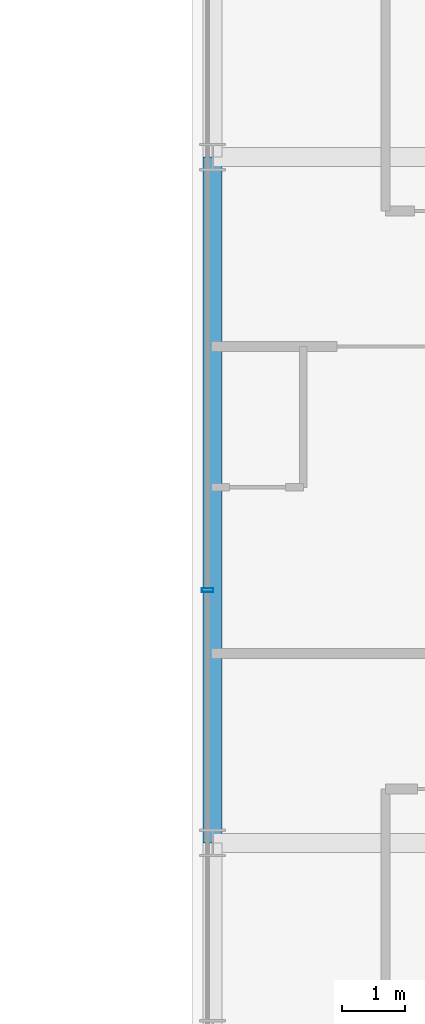
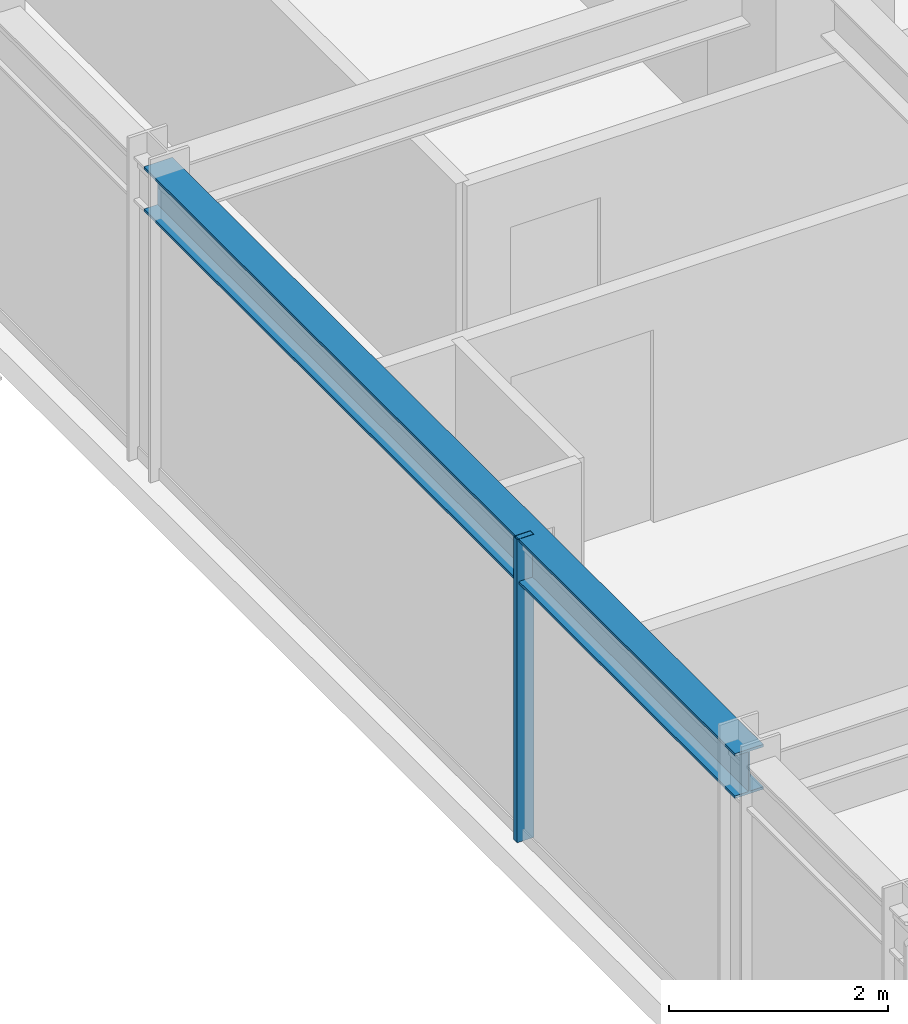
# One storey, part 8 of 40: 1 beam, 1 member, 1 element without a shape of its own.
"""IFC4 building model written with IfcOpenShell, lengths in metres."""

from ifc_helpers import new_model, si_unit, direction, frame, origin, origin_2d, place, context, subcontext, project, spatial, hollow_rectangle, i_section, extrude, source, transform, mapped, material, material_profile, profile_set, type_object, element, aggregate, save


model = new_model("IFC4")

# Units and contexts
model_context = context("Model", 3, precision=1e-05, world=origin(), true_north=direction((0.0, 1.0)))
body_context = subcontext(model_context, "Body", "Model", "MODEL_VIEW")
ifc_project = project(units=[si_unit("LENGTHUNIT", "METRE"), si_unit("AREAUNIT", "SQUARE_METRE"), si_unit("VOLUMEUNIT", "CUBIC_METRE"), si_unit("PLANEANGLEUNIT", "RADIAN"), si_unit("MASSUNIT", "GRAM", prefix="KILO")], contexts=[model_context])

# Site, building, storey
site_placement = place(None, origin())
site = spatial("IfcSite", under=ifc_project, at=site_placement, CompositionType="ELEMENT")
building_placement = place(site_placement, origin())
building = spatial("IfcBuilding", under=site, at=building_placement, Name="Nahalor Promenade Grand Hotel", CompositionType="ELEMENT")
storey_placement = place(building_placement, frame((0.0, 0.0, 91.949951171875)))
storey = spatial("IfcBuildingStorey", under=building, at=storey_placement, Name="L22", CompositionType="ELEMENT", Elevation=91.949951171875)

# Beam
ifc_material_1 = material(Name="Steel S355JR", Category="steel")
ifc_material_profile_1 = material_profile(ifc_material_1, i_section(OverallWidth=0.3, OverallDepth=0.5, WebThickness=0.0145, FlangeThickness=0.028, at=origin_2d()), Name="HEB 500")
ifc_profile_set_1 = profile_set([ifc_material_profile_1], Name="Steel S355JR")
beam_type = type_object("IfcBeamType", Name="Beam-Spandrel-HEB500", PredefinedType="SPANDREL", material=ifc_profile_set_1)
shared_shape_1 = source(origin(), body_context, "Body", "SweptSolid", [
    extrude(i_section(OverallWidth=0.3, OverallDepth=0.5, WebThickness=0.0145, FlangeThickness=0.028, at=origin_2d()), origin(), (0.0, 0.0, 1.0), 10.7998046875),
])
beam_placement = place(storey_placement, frame((-23.780029296875, -5.39990234375, 3.130126953125), z_axis=(0.0, 1.0, 0.0), x_axis=(-1.0, 0.0, 0.0)))
element("IfcBeam", 1, at=beam_placement, inside=storey, type_object=beam_type, Name="BM-L22-SP-W-2", PredefinedType="SPANDREL", context=body_context, shape_type="MappedRepresentation", body=[
    mapped(shared_shape_1, transform((0.0, 0.0, 0.0), scale=1.0)),
])

# Curtain wall, member
ifc_material_2 = material(Name="Anodised Bronze Aluminium EN AW-6063 T6", Category="aluminium")
curtain_wall_type = type_object("IfcCurtainWallType", Name="CW2 Typical Hotel Flush Bronze Unitised Curtain Wall", PredefinedType="USERDEFINED", material=ifc_material_2)
curtain_wall_placement = place(storey_placement, origin())
curtain_wall = element("IfcCurtainWall", 2, at=curtain_wall_placement, inside=storey, type_object=curtain_wall_type, Name="L22 Curtain Wall CW-L22-W-1", ObjectType="UNITISED_CURTAIN_WALL", PredefinedType="USERDEFINED")
ifc_material_profile_2 = material_profile(ifc_material_2, hollow_rectangle(XDim=0.065, YDim=0.18, WallThickness=0.004, at=origin_2d()), Name="CWM 65x180x4")
ifc_profile_set_2 = profile_set([ifc_material_profile_2], Name="Anodised Bronze Aluminium EN AW-6063 T6")
member_type = type_object("IfcMemberType", Name="CWM2 Typical Bronze Mullion 65x180", PredefinedType="MULLION", material=ifc_profile_set_2)
shared_shape_2 = source(origin(), body_context, "Body", "SweptSolid", [
    extrude(hollow_rectangle(XDim=0.065, YDim=0.18, WallThickness=0.004, at=origin_2d()), origin(), (0.0, 0.0, 1.0), 3.380126953125),
])
member_placement = place(storey_placement, frame((-23.860107421875, -1.419921875, 0.0), z_axis=(0.0, 0.0, 1.0), x_axis=(0.0, 1.0, 0.0)))
member = element("IfcMember", 3, at=member_placement, type_object=member_type, Name="CW-L22-W-1 Mullion 2", PredefinedType="MULLION", context=body_context, shape_type="MappedRepresentation", body=[
    mapped(shared_shape_2, transform((0.0, 0.0, 0.0), scale=1.0)),
])
aggregate(curtain_wall, [member])

save(model, "model.ifc")
